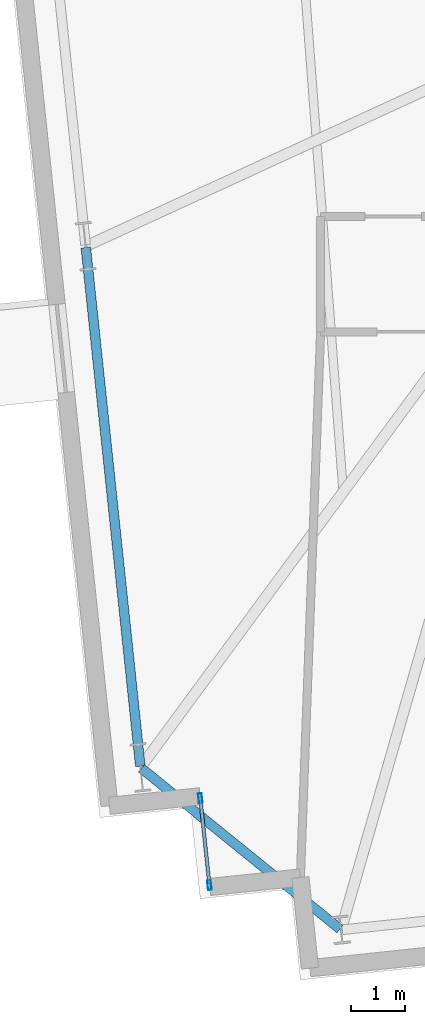
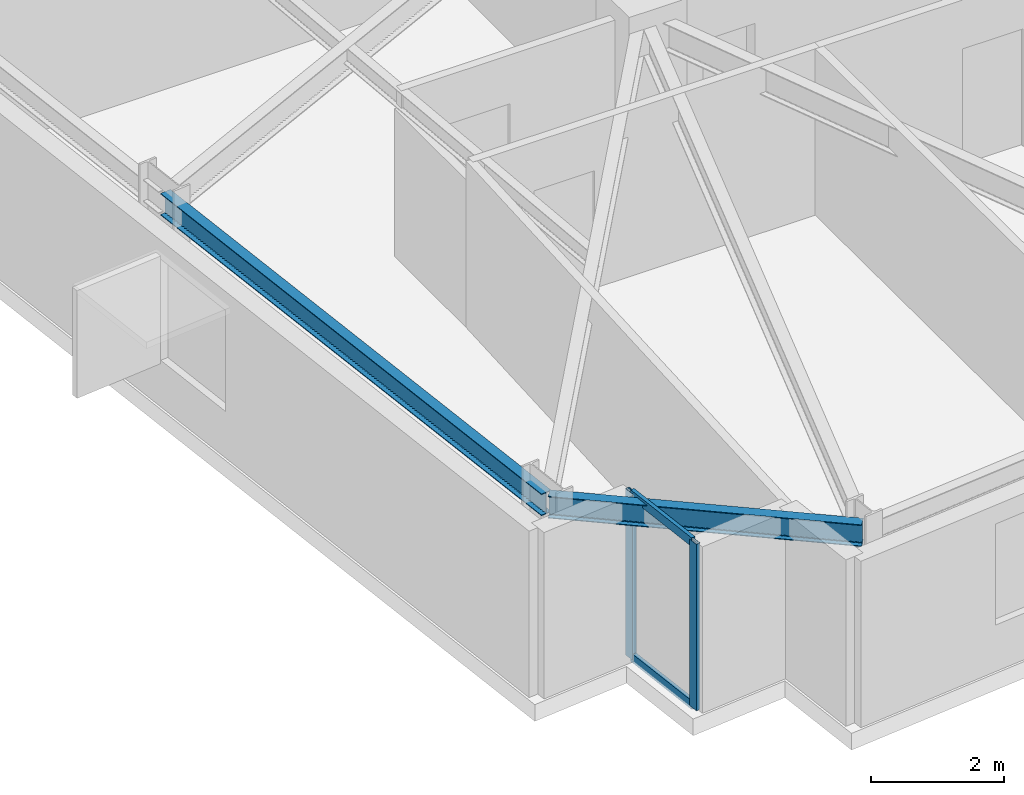
# One storey, part 4 of 17: 4 members, 2 beams, 1 element without a shape of its own.
"""IFC4 building model written with IfcOpenShell, lengths in metres."""

from ifc_helpers import new_model, si_unit, direction, frame, origin, origin_2d, place, context, subcontext, project, spatial, hollow_rectangle, i_section, extrude, material, layer, layer_set, material_profile, profile_set, type_object, element, aggregate, save


model = new_model("IFC4")

# Units and contexts
model_context = context("Model", 3, precision=1e-05, world=origin(), true_north=direction((0.0, 1.0)))
body_context = subcontext(model_context, "Body", "Model", "MODEL_VIEW")
ifc_project = project(units=[si_unit("LENGTHUNIT", "METRE"), si_unit("AREAUNIT", "SQUARE_METRE"), si_unit("VOLUMEUNIT", "CUBIC_METRE"), si_unit("PLANEANGLEUNIT", "RADIAN"), si_unit("MASSUNIT", "GRAM", prefix="KILO")], contexts=[model_context])

# Site, building, storey
site_placement = place(None, origin())
site = spatial("IfcSite", under=ifc_project, at=site_placement, CompositionType="ELEMENT")
building_placement = place(site_placement, origin())
building = spatial("IfcBuilding", under=site, at=building_placement, Name="Qobustan Lattice House", CompositionType="ELEMENT")
storey_placement = place(building_placement, frame((0.0, 0.0, 105.800048828125)))
storey = spatial("IfcBuildingStorey", under=building, at=storey_placement, Name="L29", CompositionType="ELEMENT", Elevation=105.800048828125)

# Beams
ifc_material_1 = material(Name="Steel S355", Category="steel")
ifc_material_profile_1 = material_profile(ifc_material_1, i_section(OverallWidth=0.179931640625, OverallDepth=0.39990234375, WebThickness=0.008544921875, FlangeThickness=0.013427734375, FilletRadius=0.02099609375, at=origin_2d()), Name="IPE400")
ifc_profile_set_1 = profile_set([ifc_material_profile_1], Name="Steel S355")
beam_type = type_object("IfcBeamType", Name="BM-SPD-IPE400", PredefinedType="SPANDREL", material=ifc_profile_set_1)
beam_1_placement = place(storey_placement, frame((-27.37451171875, -6.180908203125, 2.844970703125), z_axis=(0.104527826257, -0.994521962321, 0.0), x_axis=(0.994521962321, 0.104527826257, 0.0)))
element("IfcBeam", 1, at=beam_1_placement, inside=storey, type_object=beam_type, Name="L29 perimeter spandrel W3-W4", PredefinedType="SPANDREL", context=body_context, shape_type="SweptSolid", body=[
    extrude(i_section(OverallWidth=0.179931640625, OverallDepth=0.39990234375, WebThickness=0.008544921875, FlangeThickness=0.013427734375, FilletRadius=0.02099609375, at=origin_2d()), origin(), (0.0, 0.0, 1.0), 9.71630859375),
])
beam_2_placement = place(storey_placement, frame((-26.3369140625, -15.884765625, 2.844970703125), z_axis=(0.777140911545, -0.629326627121, 0.0), x_axis=(0.629326627121, 0.777140911545, 0.0)))
element("IfcBeam", 2, at=beam_2_placement, inside=storey, type_object=beam_type, Name="L29 perimeter spandrel W4-S1", PredefinedType="SPANDREL", context=body_context, shape_type="SweptSolid", body=[
    extrude(i_section(OverallWidth=0.179931640625, OverallDepth=0.39990234375, WebThickness=0.008544921875, FlangeThickness=0.013427734375, FilletRadius=0.02099609375, at=origin_2d()), origin(), (0.0, 0.0, 1.0), 4.758544921875),
])

# Curtain wall, members
ifc_material_2 = material(Name="Anodised aluminium and low-E glazing", Category="aluminium")
ifc_layer = layer(ifc_material_2, 0.219970703125)
ifc_layer_set = layer_set([ifc_layer], Name="Anodised aluminium and low-E glazing")
curtain_wall_type = type_object("IfcCurtainWallType", Name="CW-FAC-01", PredefinedType="USERDEFINED", material=ifc_layer_set)
curtain_wall_placement = place(storey_placement, origin())
curtain_wall = element("IfcCurtainWall", 3, at=curtain_wall_placement, inside=storey, type_object=curtain_wall_type, Name="L29 serrated corner faceted glazing 3", ObjectType="CURTAIN WALL", PredefinedType="USERDEFINED")
ifc_material_3 = material(Name="Anodised aluminium EN AW-6063 T6", Category="aluminium")
ifc_material_profile_2 = material_profile(ifc_material_3, hollow_rectangle(XDim=0.070068359375, YDim=0.179931640625, WallThickness=0.00439453125, at=origin_2d()), Name="CWM-180x70")
ifc_profile_set_2 = profile_set([ifc_material_profile_2], Name="Anodised aluminium EN AW-6063 T6")
member_type_1 = type_object("IfcMemberType", Name="CWM-STD-180", PredefinedType="MULLION", material=ifc_profile_set_2)
member_1_placement = place(storey_placement, frame((-25.070068359375, -18.0615234375, 0.0), z_axis=(0.0, 0.0, 1.0), x_axis=(-0.994521878892, -0.104528620025, 0.0)))
member_1 = element("IfcMember", 4, at=member_1_placement, type_object=member_type_1, Name="CW-F1 mullion 1", PredefinedType="MULLION", context=body_context, shape_type="SweptSolid", body=[
    extrude(hollow_rectangle(XDim=0.070068359375, YDim=0.179931640625, WallThickness=0.00439453125, at=origin_2d()), origin(), (0.0, 0.0, 1.0), 3.044921875),
])
member_2_placement = place(storey_placement, frame((-25.240234375, -16.4404296875, 0.0), z_axis=(0.0, 0.0, 1.0), x_axis=(-0.994521878892, -0.104528620025, 0.0)))
member_2 = element("IfcMember", 5, at=member_2_placement, type_object=member_type_1, Name="CW-F1 mullion 2", PredefinedType="MULLION", context=body_context, shape_type="SweptSolid", body=[
    extrude(hollow_rectangle(XDim=0.070068359375, YDim=0.179931640625, WallThickness=0.00439453125, at=origin_2d()), origin(), (0.0, 0.0, 1.0), 3.044921875),
])
ifc_material_4 = material(Name="Anodised aluminium EN AW-6063 T6", Category="aluminium")
ifc_material_profile_3 = material_profile(ifc_material_4, hollow_rectangle(XDim=0.06494140625, YDim=0.159912109375, WallThickness=0.00390625, at=origin_2d()), Name="CWT-160x65")
ifc_profile_set_3 = profile_set([ifc_material_profile_3], Name="Anodised aluminium EN AW-6063 T6")
member_type_2 = type_object("IfcMemberType", Name="CWT-HOR-160", PredefinedType="USERDEFINED", material=ifc_profile_set_3)
member_3_placement = place(storey_placement, frame((-25.07373046875, -18.02685546875, 0.032470703125), z_axis=(-0.104383362594, 0.994537135362, 0.0), x_axis=(-0.994537135362, -0.104383362594, 0.0)))
member_3 = element("IfcMember", 6, at=member_3_placement, type_object=member_type_2, Name="CW-F1 transom 1.1", ObjectType="TRANSOM", PredefinedType="USERDEFINED", context=body_context, shape_type="SweptSolid", body=[
    extrude(hollow_rectangle(XDim=0.06494140625, YDim=0.159912109375, WallThickness=0.00390625, at=origin_2d()), origin(), (0.0, 0.0, 1.0), 1.56005859375),
])
member_4_placement = place(storey_placement, frame((-25.07373046875, -18.02685546875, 3.012451171875), z_axis=(-0.104383362594, 0.994537135362, 0.0), x_axis=(-0.994537135362, -0.104383362594, 0.0)))
member_4 = element("IfcMember", 7, at=member_4_placement, type_object=member_type_2, Name="CW-F1 transom 1.2", ObjectType="TRANSOM", PredefinedType="USERDEFINED", context=body_context, shape_type="SweptSolid", body=[
    extrude(hollow_rectangle(XDim=0.06494140625, YDim=0.159912109375, WallThickness=0.00390625, at=origin_2d()), origin(), (0.0, 0.0, 1.0), 1.56005859375),
])
aggregate(curtain_wall, [member_1, member_2, member_3, member_4])

save(model, "model.ifc")
